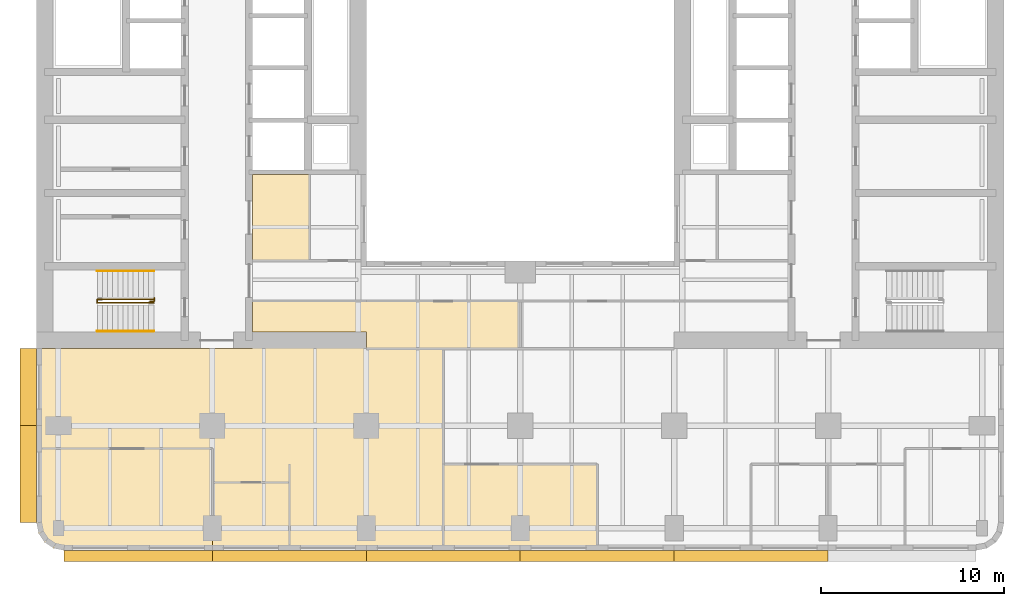
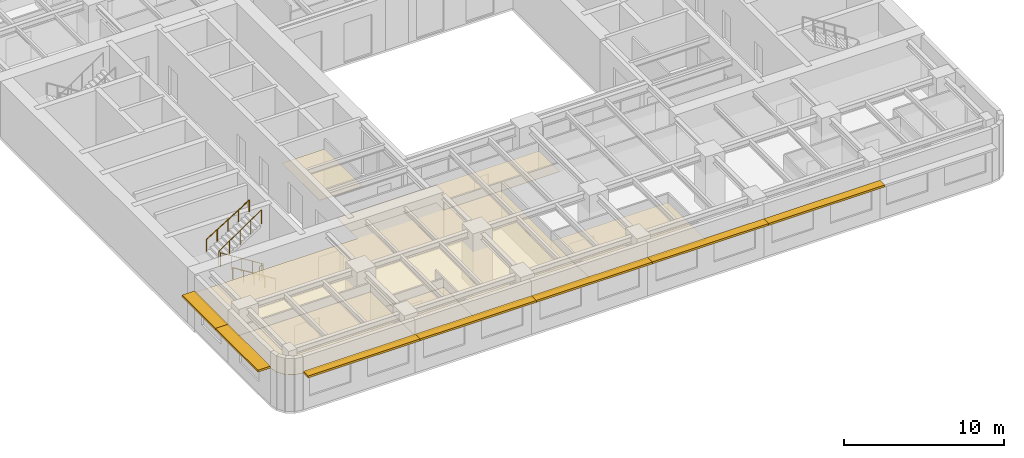
# One storey, part 9 of 11: 7 shading devices, 6 coverings, 4 railings.
"""IFC4 building model written with IfcOpenShell, lengths in metres."""

import ifcopenshell
import ifcopenshell.guid

model = None  # the IFC model being written
_history = None  # IfcOwnerHistory: only IFC2X3 demands one
_inside = {}  # id of a spatial element -> (the spatial element, [elements in it])
_under = {}  # id of a project, library or spatial element -> (it, [spatial elements below it])
_declared = {}  # id of a project -> (the project, [libraries it declares])
_typed = {}  # id of a type object -> (the type object, [elements of that type])
_made_of = {}  # id of a material, layer set ... -> (it, [elements and type objects made of it])


def new_model(schema):
    """Start an empty IFC model of exactly this schema.

    Asked for "IFC4X3", IfcOpenShell would pick the latest addendum, in which some entities
    have other attributes; the version numbers below select the first issue.
    IFC2X3 requires an IfcOwnerHistory on every rooted entity: one is made here for all.
    """
    global model, _history
    if schema == "IFC4X3":
        model = ifcopenshell.file(schema_version=(4, 3, 0, 0))
    else:
        model = ifcopenshell.file(schema=schema)
    _inside.clear()
    _under.clear()
    _declared.clear()
    _typed.clear()
    _made_of.clear()
    _history = None
    if model.schema == "IFC2X3":
        org = make("IfcOrganization", Name="unknown")
        user = make(
            "IfcPersonAndOrganization",
            ThePerson=make("IfcPerson", FamilyName="unknown"),
            TheOrganization=org,
        )
        app = make(
            "IfcApplication",
            ApplicationDeveloper=org,
            Version="unknown",
            ApplicationFullName="unknown",
            ApplicationIdentifier="unknown",
        )
        _history = make(
            "IfcOwnerHistory",
            OwningUser=user,
            OwningApplication=app,
            ChangeAction="ADDED",
            CreationDate=0,
        )
    return model


def make(cls, **values):
    """One entity of the class cls with the attributes given. An attribute that is None is left unset."""
    return model.create_entity(
        cls, **{name: value for name, value in values.items() if value is not None}
    )


def rooted(cls, **values):
    """An entity with a GlobalId (a new one), such as an element, a storey or a relation."""
    return make(cls, GlobalId=ifcopenshell.guid.new(), OwnerHistory=_history, **values)


def si_unit(unit_type, name, prefix=None):
    """IfcSIUnit, for example si_unit("LENGTHUNIT", "METRE", prefix="MILLI")."""
    return make("IfcSIUnit", UnitType=unit_type, Prefix=prefix, Name=name)


def assignment(units):
    """IfcUnitAssignment: the units of a project."""
    return None if units is None else make("IfcUnitAssignment", Units=units)


def point(xyz):
    """IfcCartesianPoint."""
    return None if xyz is None else make("IfcCartesianPoint", Coordinates=xyz)


def direction(xyz):
    """IfcDirection."""
    return None if xyz is None else make("IfcDirection", DirectionRatios=xyz)


def frame(location, z_axis=None, x_axis=None):
    """IfcAxis2Placement3D, a coordinate frame: its origin and axes. An axis left out is left unset."""
    return make(
        "IfcAxis2Placement3D",
        Location=point(location),
        Axis=direction(z_axis),
        RefDirection=direction(x_axis),
    )


def frame_2d(location, x_axis=None):
    """IfcAxis2Placement2D, a coordinate frame in the plane: its origin and x axis."""
    return make(
        "IfcAxis2Placement2D", Location=point(location), RefDirection=direction(x_axis)
    )


def origin():
    """The frame at (0, 0, 0) with its axes left unset."""
    return frame((0.0, 0.0, 0.0))


def origin_2d():
    """The frame at (0, 0) in the plane with its x axis left unset."""
    return frame_2d((0.0, 0.0))


def place(relative_to, where):
    """IfcLocalPlacement: puts the frame where relative to a parent placement (None: the world)."""
    return make(
        "IfcLocalPlacement", PlacementRelTo=relative_to, RelativePlacement=where
    )


def context(
    kind, dimensions, precision=None, world=None, true_north=None, identifier=None
):
    """IfcGeometricRepresentationContext, for example the 3D "Model" context."""
    return make(
        "IfcGeometricRepresentationContext",
        ContextIdentifier=identifier,
        ContextType=kind,
        CoordinateSpaceDimension=dimensions,
        Precision=precision,
        WorldCoordinateSystem=world,
        TrueNorth=true_north,
    )


def subcontext(parent, identifier, kind, view, scale=None):
    """IfcGeometricRepresentationSubContext, for example "Body" below "Model"."""
    return make(
        "IfcGeometricRepresentationSubContext",
        ContextIdentifier=identifier,
        ContextType=kind,
        ParentContext=parent,
        TargetScale=scale,
        TargetView=view,
    )


def project(units=None, contexts=None):
    """IfcProject with its units and contexts."""
    return rooted(
        "IfcProject",
        Name="project",
        RepresentationContexts=contexts,
        UnitsInContext=assignment(units),
    )


def spatial(cls, under=None, at=None, **own):
    """A site, building, storey or space (cls), placed at a placement, below another one or the project."""
    s = rooted(cls, ObjectPlacement=at, **own)
    if under is not None:
        _under.setdefault(under.id(), (under, []))[1].append(s)
    return s


def polyline(points):
    """IfcPolyline through the points."""
    return make("IfcPolyline", Points=[point(p) for p in points])


def profile(cls, at=None, kind="AREA", **sizes):
    """A parametric profile (cls). Its sizes go by their IFC names, for example OverallWidth=200.0."""
    return make(cls, ProfileType=kind, Position=at, **sizes)


def rectangle(**sizes):
    """IfcRectangleProfileDef."""
    return profile("IfcRectangleProfileDef", **sizes)


def circle(**sizes):
    """IfcCircleProfileDef."""
    return profile("IfcCircleProfileDef", **sizes)


def outline(outer, holes=None, kind="AREA"):
    """IfcArbitraryClosedProfileDef: a profile drawn as a closed curve; with holes, ...WithVoids."""
    if holes is None:
        return make("IfcArbitraryClosedProfileDef", ProfileType=kind, OuterCurve=outer)
    return make(
        "IfcArbitraryProfileDefWithVoids",
        ProfileType=kind,
        OuterCurve=outer,
        InnerCurves=holes,
    )


def extrude(swept, where, along, depth):
    """IfcExtrudedAreaSolid: the profile swept, set in the frame where, extruded along a direction by depth."""
    return make(
        "IfcExtrudedAreaSolid",
        SweptArea=swept,
        Position=where,
        ExtrudedDirection=direction(along),
        Depth=depth,
    )


def shape(context_of_items, identifier, shape_type, items):
    """IfcShapeRepresentation: the items that make up one representation, for example the "Body"."""
    return make(
        "IfcShapeRepresentation",
        ContextOfItems=context_of_items,
        RepresentationIdentifier=identifier,
        RepresentationType=shape_type,
        Items=items,
    )


def material(Name=None, Category=None):
    """IfcMaterial."""
    return make("IfcMaterial", Name=Name, Category=Category)


def layer(
    of_material, thickness, ventilated=None, Name=None, Category=None, Priority=None
):
    """IfcMaterialLayer: one layer of a wall or slab, of a material (None: an air gap)."""
    return make(
        "IfcMaterialLayer",
        Material=of_material,
        LayerThickness=thickness,
        IsVentilated=ventilated,
        Name=Name,
        Category=Category,
        Priority=Priority,
    )


def layer_set(layers, Name=None):
    """IfcMaterialLayerSet."""
    return make("IfcMaterialLayerSet", MaterialLayers=layers, LayerSetName=Name)


def made_of(thing, what):
    """Note that an element or type object is made of a material, layer set ...; save() writes the relation."""
    if what is not None:
        _made_of.setdefault(what.id(), (what, []))[1].append(thing)
    return thing


def type_object(cls, material=None, **own):
    """A type object (cls), such as IfcWallType, which elements share."""
    return made_of(rooted(cls, **own), material)


def element(
    cls,
    number,
    at=None,
    inside=None,
    cuts=None,
    type_object=None,
    material=None,
    context=None,
    identifier="Body",
    shape_type=None,
    held_by="IfcProductDefinitionShape",
    body=None,
    shapes=None,
    **own,
):
    """One element of the class cls, such as IfcWall. Its Tag is "e" and its number.

    at: its placement. inside: the storey or other place that contains it. cuts: it is an
    opening in that element (IfcRelVoidsElement). A single representation is given by context,
    identifier, shape_type and body (its items); several are given by shapes. held_by: the class
    of the entity that holds the representations. save() writes the other relations.
    """
    e = rooted(cls, Tag="e%d" % number, ObjectPlacement=at, **own)
    if body is not None:
        shapes = [shape(context, identifier, shape_type, body)]
    if shapes is not None:
        e.Representation = make(held_by, Representations=shapes)
    if inside is not None:
        _inside.setdefault(inside.id(), (inside, []))[1].append(e)
    if cuts is not None:
        rooted(
            "IfcRelVoidsElement", RelatingBuildingElement=cuts, RelatedOpeningElement=e
        )
    if type_object is not None:
        _typed.setdefault(type_object.id(), (type_object, []))[1].append(e)
    return made_of(e, material)


def aggregate(whole, parts):
    """IfcRelAggregates: a whole, such as a stair, and the parts it consists of."""
    return rooted("IfcRelAggregates", RelatingObject=whole, RelatedObjects=parts)


def save(model, path):
    """Write the relations noted so far, then the file.

    IfcRelAggregates (storeys below a building ...), IfcRelContainedInSpatialStructure (elements
    in a storey), IfcRelDefinesByType, IfcRelAssociatesMaterial and IfcRelDeclares: one each for
    every whole, place, type object, material and project.
    """
    for whole, parts in _under.values():
        aggregate(whole, parts)
    for where, things in _inside.values():
        rooted(
            "IfcRelContainedInSpatialStructure",
            RelatedElements=things,
            RelatingStructure=where,
        )
    for kind, things in _typed.values():
        rooted("IfcRelDefinesByType", RelatedObjects=things, RelatingType=kind)
    for what, things in _made_of.values():
        rooted("IfcRelAssociatesMaterial", RelatedObjects=things, RelatingMaterial=what)
    for by, libraries in _declared.values():
        rooted("IfcRelDeclares", RelatingContext=by, RelatedDefinitions=libraries)
    model.write(path)


model = new_model("IFC4")

# Units and contexts
model_context = context("Model", 3, precision=1e-05, world=origin(), true_north=direction((0.0, 1.0)))
body_context = subcontext(model_context, "Body", "Model", "MODEL_VIEW")
ifc_project = project(units=[si_unit("LENGTHUNIT", "METRE"), si_unit("AREAUNIT", "SQUARE_METRE"), si_unit("VOLUMEUNIT", "CUBIC_METRE"), si_unit("PLANEANGLEUNIT", "RADIAN"), si_unit("MASSUNIT", "GRAM", prefix="KILO")], contexts=[model_context])

# Site, building, storey
site_placement = place(None, origin())
site = spatial("IfcSite", under=ifc_project, at=site_placement, CompositionType="ELEMENT")
building_placement = place(site_placement, origin())
building = spatial("IfcBuilding", under=site, at=building_placement, Name="Claustro Exchange Tower", CompositionType="ELEMENT")
storey_placement = place(building_placement, frame((0.0, 0.0, 155.39990234375)))
storey = spatial("IfcBuildingStorey", under=building, at=storey_placement, Name="L35", CompositionType="ELEMENT", Elevation=155.39990234375)

# Coverings
ifc_material_1 = material(Name="Perforated metal ceiling tiles", Category="steel")
ifc_layer_1 = layer(ifc_material_1, 0.030029296875)
ifc_layer_set_1 = layer_set([ifc_layer_1], Name="Perforated metal ceiling tiles")
covering_type_1 = type_object("IfcCoveringType", Name="CL1 suspended metal ceiling", PredefinedType="CEILING", material=ifc_layer_set_1)
covering_1_placement = place(storey_placement, frame((0.0, 0.0, 2.800048828125)))
element("IfcCovering", 1, at=covering_1_placement, inside=storey, type_object=covering_type_1, Name="Ceiling CL1 L35-07", PredefinedType="CEILING", context=body_context, shape_type="SweptSolid", body=[
    extrude(outline(polyline([(10.60009765625, 12.60009765625), (-1.199951171875, 12.60009765625), (-1.199951171875, 7.14990234375), (8.39990234375, 7.14990234375), (8.39990234375, 5.300048828125), (12.60009765625, 5.300048828125), (12.60009765625, 1.60009765625), (21.0, 1.60009765625), (21.0, 6.300048828125), (21.0, 12.60009765625), (16.800048828125, 12.60009765625), (16.800048828125, 13.5), (10.60009765625, 13.5), (10.60009765625, 12.60009765625)])), origin(), (0.0, 0.0, 1.0), 0.030029296875),
])
ifc_material_2 = material(Name="Gypsum board ceiling", Category="gypsum board")
ifc_layer_2 = layer(ifc_material_2, 0.02490234375)
ifc_layer_set_2 = layer_set([ifc_layer_2], Name="Gypsum board ceiling")
covering_type_2 = type_object("IfcCoveringType", Name="CL2 plasterboard ceiling", PredefinedType="CEILING", material=ifc_layer_set_2)
covering_2_placement = place(storey_placement, frame((0.0, 0.0, 2.800048828125)))
element("IfcCovering", 2, at=covering_2_placement, inside=storey, type_object=covering_type_2, Name="Ceiling CL2 L35-01", PredefinedType="CEILING", context=body_context, shape_type="SweptSolid", body=[
    extrude(outline(polyline([(8.39990234375, 1.60009765625), (12.60009765625, 1.60009765625), (12.60009765625, 5.300048828125), (8.39990234375, 5.300048828125), (8.39990234375, 1.60009765625)])), origin(), (0.0, 0.0, 1.0), 0.025146484375),
])
covering_3_placement = place(storey_placement, frame((0.0, 0.0, 2.800048828125)))
element("IfcCovering", 3, at=covering_3_placement, inside=storey, type_object=covering_type_2, Name="Ceiling CL2 L35-02", PredefinedType="CEILING", context=body_context, shape_type="SweptSolid", body=[
    extrude(outline(polyline([(21.0, 1.60009765625), (29.39990234375, 1.60009765625), (29.39990234375, 6.300048828125), (21.0, 6.300048828125), (21.0, 1.60009765625)])), origin(), (0.0, 0.0, 1.0), 0.025146484375),
])
covering_4_placement = place(storey_placement, frame((0.0, 0.0, 2.800048828125)))
element("IfcCovering", 4, at=covering_4_placement, inside=storey, type_object=covering_type_2, Name="Ceiling CL2 L35-05", PredefinedType="CEILING", context=body_context, shape_type="SweptSolid", body=[
    extrude(outline(polyline([(-1.085693359375, 2.52587890625), (-0.7607421875, 2.039306640625), (-0.27392578125, 1.714111328125), (0.300048828125, 1.60009765625), (8.39990234375, 1.60009765625), (8.39990234375, 7.14990234375), (-1.199951171875, 7.14990234375), (-1.199951171875, 3.10009765625), (-1.085693359375, 2.52587890625)])), origin(), (0.0, 0.0, 1.0), 0.025146484375),
])
covering_5_placement = place(storey_placement, frame((0.0, 0.0, 2.800048828125)))
element("IfcCovering", 5, at=covering_5_placement, inside=storey, type_object=covering_type_2, Name="Ceiling CL2 L35-09", PredefinedType="CEILING", context=body_context, shape_type="SweptSolid", body=[
    extrude(outline(polyline([(10.60009765625, 15.199951171875), (10.60009765625, 13.5), (16.800048828125, 13.5), (16.800048828125, 12.60009765625), (25.199951171875, 12.60009765625), (25.199951171875, 15.199951171875), (16.800048828125, 15.199951171875), (10.60009765625, 15.199951171875)])), origin(), (0.0, 0.0, 1.0), 0.025146484375),
])
covering_6_placement = place(storey_placement, frame((0.0, 0.0, 2.800048828125)))
element("IfcCovering", 6, at=covering_6_placement, inside=storey, type_object=covering_type_2, Name="Ceiling CL2 L35-12", PredefinedType="CEILING", context=body_context, shape_type="SweptSolid", body=[
    extrude(outline(polyline([(13.699951171875, 17.39990234375), (13.699951171875, 22.10009765625), (10.60009765625, 22.10009765625), (10.60009765625, 17.39990234375), (13.699951171875, 17.39990234375)])), origin(), (0.0, 0.0, 1.0), 0.025146484375),
])

# Railings
ifc_material_3 = material(Name="Steel balustrade, painted", Category="steel")
railing_type_1 = type_object("IfcRailingType", Name="GR2 1100 steel stair guard", PredefinedType="GUARDRAIL", material=ifc_material_3)
railing_1_placement = place(storey_placement, frame((5.199951171875, 15.10009765625, 0.175048828125)))
element("IfcRailing", 7, at=railing_1_placement, inside=storey, type_object=railing_type_1, Name="Stair well guard GR2 stair STWA L35", PredefinedType="GUARDRAIL", context=body_context, shape_type="SweptSolid", body=[
    extrude(circle(Radius=0.02392578125, at=origin_2d()), frame((0.0, 0.0, 1.076171875), z_axis=(-0.847979421464, 0.0, 0.530029150871), x_axis=(0.0, -1.0, 0.0)), (0.0, 0.0, 1.0), 3.632080078125),
    extrude(circle(Radius=0.02392578125, at=origin_2d()), frame((-3.079833984375, 0.0, 3.0009765625), z_axis=(0.0, 1.0, 0.0), x_axis=(-1.0, 0.0, 0.0)), (0.0, 0.0, 1.0), 0.199951171875),
    extrude(circle(Radius=0.02392578125, at=origin_2d()), frame((-3.079833984375, 0.199951171875, 3.0009765625), z_axis=(0.826201015165, 0.0, 0.563375436579), x_axis=(0.0, 1.0, 0.0)), (0.0, 0.0, 1.0), 3.727783203125),
    extrude(circle(Radius=0.02099609375, at=origin_2d()), origin(), (0.0, 0.0, 1.0), 1.052001953125),
    extrude(circle(Radius=0.02099609375, at=origin_2d()), frame((-0.77001953125, 0.0, 0.481201171875)), (0.0, 0.0, 1.0), 1.052001953125),
    extrude(circle(Radius=0.02099609375, at=origin_2d()), frame((-1.5400390625, 0.0, 0.96240234375)), (0.0, 0.0, 1.0), 1.052001953125),
    extrude(circle(Radius=0.02099609375, at=origin_2d()), frame((-2.309814453125, 0.0, 1.44384765625)), (0.0, 0.0, 1.0), 1.052001953125),
    extrude(circle(Radius=0.02099609375, at=origin_2d()), frame((-3.079833984375, 0.0, 1.925048828125)), (0.0, 0.0, 1.0), 1.052001953125),
    extrude(circle(Radius=0.02099609375, at=origin_2d()), frame((-3.079833984375, 0.199951171875, 1.925048828125)), (0.0, 0.0, 1.0), 1.052001953125),
    extrude(circle(Radius=0.02099609375, at=origin_2d()), frame((-2.309814453125, 0.199951171875, 2.4501953125)), (0.0, 0.0, 1.0), 1.052001953125),
    extrude(circle(Radius=0.02099609375, at=origin_2d()), frame((-1.5400390625, 0.199951171875, 2.97509765625)), (0.0, 0.0, 1.0), 1.052001953125),
    extrude(circle(Radius=0.02099609375, at=origin_2d()), frame((-0.77001953125, 0.199951171875, 3.5)), (0.0, 0.0, 1.0), 1.052001953125),
    extrude(circle(Radius=0.02099609375, at=origin_2d()), frame((0.0, 0.199951171875, 4.025146484375)), (0.0, 0.0, 1.0), 1.052001953125),
])
railing_2_placement = place(storey_placement, frame((5.0, 15.169921875, 0.0)))
element("IfcRailing", 8, at=railing_2_placement, inside=storey, type_object=railing_type_1, Name="Stair guard GR2 STWA L35", PredefinedType="GUARDRAIL", context=body_context, shape_type="SweptSolid", body=[
    extrude(circle(Radius=0.02392578125, at=origin_2d()), frame((0.0, 0.0, 1.076171875), z_axis=(0.0, 1.0, 0.0), x_axis=(-1.0, 0.0, 0.0)), (0.0, 0.0, 1.0), 0.030029296875),
    extrude(circle(Radius=0.02392578125, at=origin_2d()), frame((0.0, 0.030029296875, 1.076171875), z_axis=(1.0, 0.0, 0.0), x_axis=(0.0, 1.0, 0.0)), (0.0, 0.0, 1.0), 0.22509765625),
    extrude(circle(Radius=0.02392578125, at=origin_2d()), frame((0.22509765625, 0.030029296875, 1.076171875), z_axis=(0.0, 1.0, 0.0), x_axis=(-1.0, 0.0, 0.0)), (0.0, 0.0, 1.0), 0.179931640625),
    extrude(circle(Radius=0.02099609375, at=origin_2d()), origin(), (0.0, 0.0, 1.0), 1.052001953125),
    extrude(circle(Radius=0.02099609375, at=origin_2d()), frame((0.0, 0.030029296875, 0.0)), (0.0, 0.0, 1.0), 1.052001953125),
    extrude(circle(Radius=0.02099609375, at=origin_2d()), frame((0.22509765625, 0.030029296875, 0.0)), (0.0, 0.0, 1.0), 1.052001953125),
    extrude(circle(Radius=0.02099609375, at=origin_2d()), frame((0.22509765625, 0.2099609375, 0.0)), (0.0, 0.0, 1.0), 1.052001953125),
])
ifc_material_4 = material(Name="Stainless steel tube", Category="steel")
railing_type_2 = type_object("IfcRailingType", Name="HR1 900 stair handrail", PredefinedType="HANDRAIL", material=ifc_material_4)
railing_3_placement = place(storey_placement, frame((5.199951171875, 13.56005859375, 0.175048828125)))
element("IfcRailing", 9, at=railing_3_placement, inside=storey, type_object=railing_type_2, Name="Handrail HR1 stair STWA L35", PredefinedType="HANDRAIL", context=body_context, shape_type="SweptSolid", body=[
    extrude(circle(Radius=0.02392578125, at=origin_2d()), frame((0.0, 0.0, 0.8759765625), z_axis=(-0.847979421464, 0.0, 0.530029150871), x_axis=(0.0, -1.0, 0.0)), (0.0, 0.0, 1.0), 3.632080078125),
    extrude(circle(Radius=0.02099609375, at=origin_2d()), origin(), (0.0, 0.0, 1.0), 0.851806640625),
    extrude(circle(Radius=0.02099609375, at=origin_2d()), frame((-0.77001953125, 0.0, 0.481201171875)), (0.0, 0.0, 1.0), 0.851806640625),
    extrude(circle(Radius=0.02099609375, at=origin_2d()), frame((-1.5400390625, 0.0, 0.96240234375)), (0.0, 0.0, 1.0), 0.851806640625),
    extrude(circle(Radius=0.02099609375, at=origin_2d()), frame((-2.309814453125, 0.0, 1.44384765625)), (0.0, 0.0, 1.0), 0.851806640625),
    extrude(circle(Radius=0.02099609375, at=origin_2d()), frame((-3.079833984375, 0.0, 1.925048828125)), (0.0, 0.0, 1.0), 0.851806640625),
])
railing_4_placement = place(storey_placement, frame((2.1201171875, 16.840087890625, 2.275146484375)))
element("IfcRailing", 10, at=railing_4_placement, inside=storey, type_object=railing_type_2, Name="Handrail HR1 stair STWA L35", PredefinedType="HANDRAIL", context=body_context, shape_type="SweptSolid", body=[
    extrude(circle(Radius=0.02392578125, at=origin_2d()), frame((0.0, 0.0, 0.8759765625), z_axis=(0.847979421464, 0.0, 0.530029150871), x_axis=(0.0, 1.0, 0.0)), (0.0, 0.0, 1.0), 3.632080078125),
    extrude(circle(Radius=0.02099609375, at=origin_2d()), origin(), (0.0, 0.0, 1.0), 0.851806640625),
    extrude(circle(Radius=0.02099609375, at=origin_2d()), frame((0.77001953125, 0.0, 0.481201171875)), (0.0, 0.0, 1.0), 0.851806640625),
    extrude(circle(Radius=0.02099609375, at=origin_2d()), frame((1.5400390625, 0.0, 0.96240234375)), (0.0, 0.0, 1.0), 0.851806640625),
    extrude(circle(Radius=0.02099609375, at=origin_2d()), frame((2.309814453125, 0.0, 1.44384765625)), (0.0, 0.0, 1.0), 0.851806640625),
    extrude(circle(Radius=0.02099609375, at=origin_2d()), frame((3.079833984375, 0.0, 1.925048828125)), (0.0, 0.0, 1.0), 0.851806640625),
])

# Shading devices
ifc_material_5 = material(Name="Concrete HA-40 (C40/50), precast, white cement, acid-etched", Category="concrete")
ifc_layer_3 = layer(ifc_material_5, 0.14990234375)
ifc_layer_set_3 = layer_set([ifc_layer_3], Name="Concrete HA-40 (C40/50), precast, white cement, acid-etched")
shading_device_type_1 = type_object("IfcShadingDeviceType", Name="SS1 600 precast concrete SUNSHADE", PredefinedType="SHUTTER", material=ifc_layer_set_3)
for number, where, z_axis, x_axis, name in (
    (11, (37.800048828125, 1.300048828125, 2.800048828125), (0.0, 0.0, 1.0), (-1.0, 0.0, 0.0), "Precast SUNSHADE SS1 L35"),
    (12, (29.39990234375, 1.300048828125, 2.800048828125), (0.0, 0.0, 1.0), (-1.0, 0.0, 0.0), "Precast SUNSHADE SS1 L35"),
    (13, (21.0, 1.300048828125, 2.800048828125), (0.0, 0.0, 1.0), (-1.0, 0.0, 0.0), "Precast SUNSHADE SS1 L35"),
    (14, (12.60009765625, 1.300048828125, 2.800048828125), (0.0, 0.0, 1.0), (-1.0, 0.0, 0.0), "Precast SUNSHADE SS1 L35"),
):
    element("IfcShadingDevice", number, at=place(storey_placement, frame(where, z_axis=z_axis, x_axis=x_axis)), inside=storey, type_object=shading_device_type_1, Name=name, PredefinedType="SHUTTER", context=body_context, shape_type="SweptSolid", body=[
        extrude(rectangle(XDim=8.39990234375, YDim=0.60009765625, at=origin_2d()), origin(), (0.0, 0.0, 1.0), 0.14990234375),
    ])
shading_device_1_placement = place(storey_placement, frame((4.357421875, 1.300048828125, 2.800048828125), z_axis=(0.0, 0.0, 1.0), x_axis=(-1.0, 0.0, 0.0)))
element("IfcShadingDevice", 15, at=shading_device_1_placement, inside=storey, type_object=shading_device_type_1, Name="Precast SUNSHADE SS1 L35", PredefinedType="SHUTTER", context=body_context, shape_type="SweptSolid", body=[
    extrude(rectangle(XDim=8.085205078125, YDim=0.60009765625, at=origin_2d()), origin(), (0.0, 0.0, 1.0), 0.14990234375),
])
ifc_material_6 = material(Name="Concrete HA-40 (C40/50), precast, white cement, acid-etched", Category="concrete")
ifc_layer_4 = layer(ifc_material_6, 0.14990234375)
ifc_layer_set_4 = layer_set([ifc_layer_4], Name="Concrete HA-40 (C40/50), precast, white cement, acid-etched")
shading_device_type_2 = type_object("IfcShadingDeviceType", Name="SS2 900 precast concrete SUNSHADE", PredefinedType="SHUTTER", material=ifc_layer_set_4)
shading_device_2_placement = place(storey_placement, frame((-1.64990234375, 5.75732421875, 2.800048828125), z_axis=(0.0, 0.0, 1.0), x_axis=(0.0, 1.0, 0.0)))
element("IfcShadingDevice", 16, at=shading_device_2_placement, inside=storey, type_object=shading_device_type_2, Name="Precast SUNSHADE SS2 L35", PredefinedType="SHUTTER", context=body_context, shape_type="SweptSolid", body=[
    extrude(rectangle(XDim=5.28515625, YDim=0.89990234375, at=origin_2d()), origin(), (0.0, 0.0, 1.0), 0.14990234375),
])
shading_device_3_placement = place(storey_placement, frame((-1.64990234375, 10.5, 2.800048828125), z_axis=(0.0, 0.0, 1.0), x_axis=(0.0, 1.0, 0.0)))
element("IfcShadingDevice", 17, at=shading_device_3_placement, inside=storey, type_object=shading_device_type_2, Name="Precast SUNSHADE SS2 L35", PredefinedType="SHUTTER", context=body_context, shape_type="SweptSolid", body=[
    extrude(rectangle(XDim=4.199951171875, YDim=0.89990234375, at=origin_2d()), origin(), (0.0, 0.0, 1.0), 0.14990234375),
])

save(model, "model.ifc")
